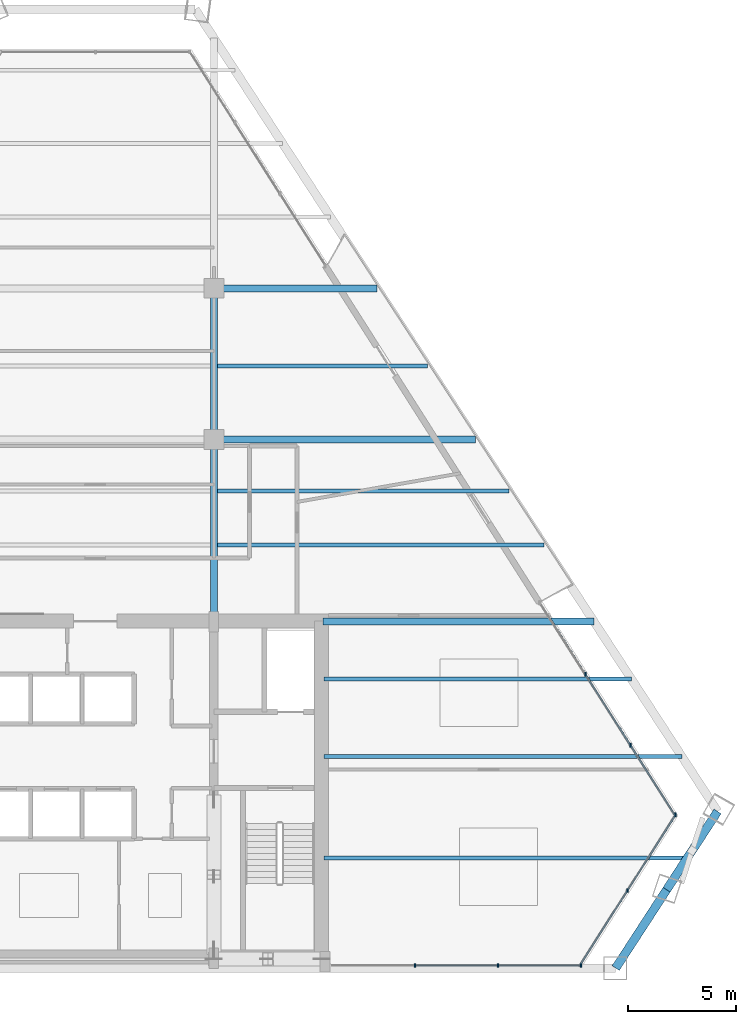
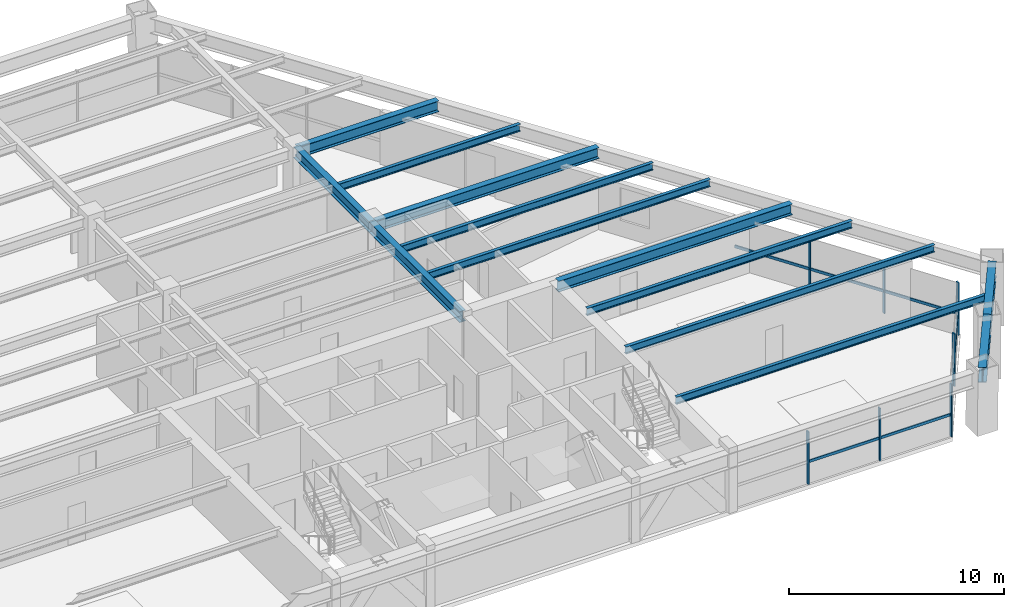
# One storey, part 6 of 15: 14 members, 13 beams, 3 elements without a shape of their own.
"""IFC4 building model written with IfcOpenShell, lengths in metres."""

from ifc_helpers import new_model, si_unit, direction, frame, origin, origin_2d, place, context, subcontext, project, spatial, rectangle, i_section, extrude, source, transform, mapped, material, material_profile, profile_set, type_object, type_shapes, element, aggregate, save


model = new_model("IFC4")

# Units and contexts
model_context = context("Model", 3, precision=1e-05, world=origin(), true_north=direction((0.0, 1.0)))
body_context = subcontext(model_context, "Body", "Model", "MODEL_VIEW")
ifc_project = project(units=[si_unit("LENGTHUNIT", "METRE"), si_unit("AREAUNIT", "SQUARE_METRE"), si_unit("VOLUMEUNIT", "CUBIC_METRE"), si_unit("PLANEANGLEUNIT", "RADIAN"), si_unit("MASSUNIT", "GRAM", prefix="KILO")], contexts=[model_context])

# Site, building, storey
site_placement = place(None, origin())
site = spatial("IfcSite", under=ifc_project, at=site_placement, CompositionType="ELEMENT")
building_placement = place(site_placement, origin())
building = spatial("IfcBuilding", under=site, at=building_placement, Name="Varnakhor Terracotta Tower", CompositionType="ELEMENT")
storey_placement = place(building_placement, frame((0.0, 0.0, 162.60009765625)))
storey = spatial("IfcBuildingStorey", under=building, at=storey_placement, Name="L41", CompositionType="ELEMENT", Elevation=162.60009765625)

# Beams
ifc_material_1 = material(Name="Steel S355", Category="steel")
ifc_material_profile_1 = material_profile(ifc_material_1, i_section(OverallWidth=0.324951171875, OverallDepth=0.615966796875, WebThickness=0.013916015625, FlangeThickness=0.02197265625, FilletRadius=0.01806640625, at=origin_2d()), Name="W24X117")
ifc_profile_set_1 = profile_set([ifc_material_profile_1], Name="Steel S355")
beam_type_1 = type_object("IfcBeamType", Name="BM-W24X117", PredefinedType="BEAM", material=ifc_profile_set_1)
shared_shape_1 = source(origin(), body_context, "Body", "SweptSolid", [
    extrude(i_section(OverallWidth=0.324951171875, OverallDepth=0.615966796875, WebThickness=0.013916015625, FlangeThickness=0.02197265625, FilletRadius=0.01806640625, at=origin_2d()), origin(), (0.0, 0.0, 1.0), 8.449951171875),
])
type_shapes(beam_type_1, [shared_shape_1])
beam_1_placement = place(storey_placement, frame((5.5, 16.050048828125, 3.091796875), z_axis=(0.0, 1.0, 0.0), x_axis=(-1.0, 0.0, 0.0)))
element("IfcBeam", 1, at=beam_1_placement, inside=storey, type_object=beam_type_1, Name="L41 Primary Girder NS1-E", PredefinedType="BEAM", context=body_context, shape_type="MappedRepresentation", body=[
    mapped(shared_shape_1, transform((0.0, 0.0, 0.0), scale=1.0)),
])
shared_shape_2 = source(origin(), body_context, "Body", "SweptSolid", [
    extrude(i_section(OverallWidth=0.324951171875, OverallDepth=0.615966796875, WebThickness=0.013916015625, FlangeThickness=0.02197265625, FilletRadius=0.01806640625, at=origin_2d()), origin(), (0.0, 0.0, 1.0), 7.0),
])
beam_2_placement = place(storey_placement, frame((5.5, 24.5, 3.091796875), z_axis=(0.0, 1.0, 0.0), x_axis=(-1.0, 0.0, 0.0)))
element("IfcBeam", 2, at=beam_2_placement, inside=storey, type_object=beam_type_1, Name="L41 Primary Girder NS2-E", PredefinedType="BEAM", context=body_context, shape_type="MappedRepresentation", body=[
    mapped(shared_shape_2, transform((0.0, 0.0, 0.0), scale=1.0)),
])
ifc_material_profile_2 = material_profile(ifc_material_1, i_section(OverallWidth=0.39990234375, OverallDepth=0.85498046875, WebThickness=0.01806640625, FlangeThickness=0.029052734375, FilletRadius=0.01806640625, at=origin_2d()), Name="W33X201")
ifc_profile_set_2 = profile_set([ifc_material_profile_2], Name="Steel S355")
beam_type_2 = type_object("IfcBeamType", Name="BM-W33X201", PredefinedType="BEAM", material=ifc_profile_set_2)
shared_shape_3 = source(origin(), body_context, "Body", "SweptSolid", [
    extrude(i_section(OverallWidth=0.39990234375, OverallDepth=0.85498046875, WebThickness=0.01806640625, FlangeThickness=0.029052734375, FilletRadius=0.01806640625, at=origin_2d()), origin(), (0.0, 0.0, 1.0), 4.331298828125),
])
beam_3_placement = place(storey_placement, frame((24.11669921875, 0.0, 2.972412109375), z_axis=(0.545024013631, 0.838420434249, 0.0), x_axis=(-0.838420434249, 0.545024013631, 0.0)))
element("IfcBeam", 3, at=beam_3_placement, inside=storey, type_object=beam_type_2, Name="L41 Perimeter Spandrel 2", PredefinedType="BEAM", context=body_context, shape_type="MappedRepresentation", body=[
    mapped(shared_shape_3, transform((0.0, 0.0, 0.0), scale=1.0)),
])
shared_shape_4 = source(origin(), body_context, "Body", "SweptSolid", [
    extrude(i_section(OverallWidth=0.39990234375, OverallDepth=0.85498046875, WebThickness=0.01806640625, FlangeThickness=0.029052734375, FilletRadius=0.01806640625, at=origin_2d()), origin(), (0.0, 0.0, 1.0), 4.330810546875),
])
beam_4_placement = place(storey_placement, frame((26.477294921875, 3.63134765625, 2.972412109375), z_axis=(0.544944758423, 0.838471949601, 0.0), x_axis=(-0.838471949601, 0.544944758423, 0.0)))
element("IfcBeam", 4, at=beam_4_placement, inside=storey, type_object=beam_type_2, Name="L41 Perimeter Spandrel 3", PredefinedType="BEAM", context=body_context, shape_type="MappedRepresentation", body=[
    mapped(shared_shape_4, transform((0.0, 0.0, 0.0), scale=1.0)),
])
shared_shape_5 = source(origin(), body_context, "Body", "SweptSolid", [
    extrude(i_section(OverallWidth=0.324951171875, OverallDepth=0.615966796875, WebThickness=0.013916015625, FlangeThickness=0.02197265625, FilletRadius=0.01806640625, at=origin_2d()), origin(), (0.0, 0.0, 1.0), 12.564453125),
])
beam_5_placement = place(storey_placement, frame((10.550048828125, 16.050048828125, 3.091796875), z_axis=(1.0, 0.0, 0.0), x_axis=(0.0, 1.0, 0.0)))
element("IfcBeam", 5, at=beam_5_placement, inside=storey, type_object=beam_type_1, Name="L41 Wing Girder E", PredefinedType="BEAM", context=body_context, shape_type="MappedRepresentation", body=[
    mapped(shared_shape_5, transform((0.0, 0.0, 0.0), scale=1.0)),
])
shared_shape_6 = source(origin(), body_context, "Body", "SweptSolid", [
    extrude(i_section(OverallWidth=0.324951171875, OverallDepth=0.615966796875, WebThickness=0.013916015625, FlangeThickness=0.02197265625, FilletRadius=0.01806640625, at=origin_2d()), origin(), (0.0, 0.0, 1.0), 12.111083984375),
])
beam_6_placement = place(storey_placement, frame((5.5, 24.5, 3.091796875), z_axis=(1.0, 0.0, 0.0), x_axis=(0.0, 1.0, 0.0)))
element("IfcBeam", 6, at=beam_6_placement, inside=storey, type_object=beam_type_1, Name="L41 Primary Girder EW2-3", PredefinedType="BEAM", context=body_context, shape_type="MappedRepresentation", body=[
    mapped(shared_shape_6, transform((0.0, 0.0, 0.0), scale=1.0)),
])
shared_shape_7 = source(origin(), body_context, "Body", "SweptSolid", [
    extrude(i_section(OverallWidth=0.324951171875, OverallDepth=0.615966796875, WebThickness=0.013916015625, FlangeThickness=0.02197265625, FilletRadius=0.01806640625, at=origin_2d()), origin(), (0.0, 0.0, 1.0), 7.552001953125),
])
beam_7_placement = place(storey_placement, frame((5.5, 31.5, 3.091796875), z_axis=(1.0, 0.0, 0.0), x_axis=(0.0, 1.0, 0.0)))
element("IfcBeam", 7, at=beam_7_placement, inside=storey, type_object=beam_type_1, Name="L41 Primary Girder EW3-3", PredefinedType="BEAM", context=body_context, shape_type="MappedRepresentation", body=[
    mapped(shared_shape_7, transform((0.0, 0.0, 0.0), scale=1.0)),
])
ifc_material_profile_3 = material_profile(ifc_material_1, i_section(OverallWidth=0.179931640625, OverallDepth=0.4130859375, WebThickness=0.009765625, FlangeThickness=0.01611328125, FilletRadius=0.01806640625, at=origin_2d()), Name="W16X50")
ifc_profile_set_3 = profile_set([ifc_material_profile_3], Name="Steel S355")
beam_type_3 = type_object("IfcBeamType", Name="JST-W16X50", PredefinedType="JOIST", material=ifc_profile_set_3)
shared_shape_8 = source(origin(), body_context, "Body", "SweptSolid", [
    extrude(i_section(OverallWidth=0.179931640625, OverallDepth=0.4130859375, WebThickness=0.009765625, FlangeThickness=0.01611328125, FilletRadius=0.01806640625, at=origin_2d()), origin(), (0.0, 0.0, 1.0), 16.831787109375),
])
beam_8_placement = place(storey_placement, frame((10.60009765625, 5.10009765625, 3.193359375), z_axis=(1.0, 0.0, 0.0), x_axis=(0.0, 1.0, 0.0)))
element("IfcBeam", 8, at=beam_8_placement, inside=storey, type_object=beam_type_3, Name="L41 Floor Joist E1", PredefinedType="JOIST", context=body_context, shape_type="MappedRepresentation", body=[
    mapped(shared_shape_8, transform((0.0, 0.0, 0.0), scale=1.0)),
])
shared_shape_9 = source(origin(), body_context, "Body", "SweptSolid", [
    extrude(i_section(OverallWidth=0.179931640625, OverallDepth=0.4130859375, WebThickness=0.009765625, FlangeThickness=0.01611328125, FilletRadius=0.01806640625, at=origin_2d()), origin(), (0.0, 0.0, 1.0), 16.5849609375),
])
beam_9_placement = place(storey_placement, frame((10.60009765625, 9.800048828125, 3.193359375), z_axis=(1.0, 0.0, 0.0), x_axis=(0.0, 1.0, 0.0)))
element("IfcBeam", 9, at=beam_9_placement, inside=storey, type_object=beam_type_3, Name="L41 Floor Joist E2", PredefinedType="JOIST", context=body_context, shape_type="MappedRepresentation", body=[
    mapped(shared_shape_9, transform((0.0, 0.0, 0.0), scale=1.0)),
])
shared_shape_10 = source(origin(), body_context, "Body", "SweptSolid", [
    extrude(i_section(OverallWidth=0.179931640625, OverallDepth=0.4130859375, WebThickness=0.009765625, FlangeThickness=0.01611328125, FilletRadius=0.01806640625, at=origin_2d()), origin(), (0.0, 0.0, 1.0), 14.240234375),
])
beam_10_placement = place(storey_placement, frame((10.60009765625, 13.39990234375, 3.193359375), z_axis=(1.0, 0.0, 0.0), x_axis=(0.0, 1.0, 0.0)))
element("IfcBeam", 10, at=beam_10_placement, inside=storey, type_object=beam_type_3, Name="L41 Floor Joist E3", PredefinedType="JOIST", context=body_context, shape_type="MappedRepresentation", body=[
    mapped(shared_shape_10, transform((0.0, 0.0, 0.0), scale=1.0)),
])
shared_shape_11 = source(origin(), body_context, "Body", "SweptSolid", [
    extrude(i_section(OverallWidth=0.179931640625, OverallDepth=0.4130859375, WebThickness=0.009765625, FlangeThickness=0.01611328125, FilletRadius=0.01806640625, at=origin_2d()), origin(), (0.0, 0.0, 1.0), 15.143798828125),
])
beam_11_placement = place(storey_placement, frame((5.658447265625, 19.60009765625, 3.193359375), z_axis=(1.0, 0.0, 0.0), x_axis=(0.0, 1.0, 0.0)))
element("IfcBeam", 11, at=beam_11_placement, inside=storey, type_object=beam_type_3, Name="L41 Composite Floor Joist 4-3", PredefinedType="JOIST", context=body_context, shape_type="MappedRepresentation", body=[
    mapped(shared_shape_11, transform((0.0, 0.0, 0.0), scale=1.0)),
])
shared_shape_12 = source(origin(), body_context, "Body", "SweptSolid", [
    extrude(i_section(OverallWidth=0.179931640625, OverallDepth=0.4130859375, WebThickness=0.009765625, FlangeThickness=0.01611328125, FilletRadius=0.01806640625, at=origin_2d()), origin(), (0.0, 0.0, 1.0), 13.515625),
])
beam_12_placement = place(storey_placement, frame((5.658447265625, 22.10009765625, 3.193359375), z_axis=(1.0, 0.0, 0.0), x_axis=(0.0, 1.0, 0.0)))
element("IfcBeam", 12, at=beam_12_placement, inside=storey, type_object=beam_type_3, Name="L41 Composite Floor Joist 5-3", PredefinedType="JOIST", context=body_context, shape_type="MappedRepresentation", body=[
    mapped(shared_shape_12, transform((0.0, 0.0, 0.0), scale=1.0)),
])
shared_shape_13 = source(origin(), body_context, "Body", "SweptSolid", [
    extrude(i_section(OverallWidth=0.179931640625, OverallDepth=0.4130859375, WebThickness=0.009765625, FlangeThickness=0.01611328125, FilletRadius=0.01806640625, at=origin_2d()), origin(), (0.0, 0.0, 1.0), 9.738037109375),
])
beam_13_placement = place(storey_placement, frame((5.658447265625, 27.89990234375, 3.193359375), z_axis=(1.0, 0.0, 0.0), x_axis=(0.0, 1.0, 0.0)))
element("IfcBeam", 13, at=beam_13_placement, inside=storey, type_object=beam_type_3, Name="L41 Composite Floor Joist 6-3", PredefinedType="JOIST", context=body_context, shape_type="MappedRepresentation", body=[
    mapped(shared_shape_13, transform((0.0, 0.0, 0.0), scale=1.0)),
])

# Curtain wall, members
ifc_material_2 = material(Name="Anodised Aluminium Curtain Wall System", Category="aluminium")
curtain_wall_type = type_object("IfcCurtainWallType", Name="CW-SYS-MID-OFFICE", PredefinedType="NOTDEFINED", material=ifc_material_2)
curtain_wall_1_placement = place(storey_placement, origin())
curtain_wall_1 = element("IfcCurtainWall", 14, at=curtain_wall_1_placement, inside=storey, type_object=curtain_wall_type, Name="L41 E Facet Curtain Wall 2", PredefinedType="NOTDEFINED")
ifc_material_3 = material(Name="Anodised Aluminium 6063-T6", Category="aluminium")
ifc_material_profile_4 = material_profile(ifc_material_3, rectangle(XDim=0.070068359375, YDim=0.175048828125, at=origin_2d()), Name="ALU MULLION 70x175")
ifc_profile_set_4 = profile_set([ifc_material_profile_4], Name="Anodised Aluminium 6063-T6")
member_type_1 = type_object("IfcMemberType", Name="CWM-03", PredefinedType="MULLION", material=ifc_profile_set_4)
shared_shape_14 = source(origin(), body_context, "Body", "SweptSolid", [
    extrude(rectangle(XDim=0.070068359375, YDim=0.175048828125, at=origin_2d()), origin(), (0.0, 0.0, 1.0), 2.97998046875),
])
member_1_placement = place(storey_placement, frame((22.70849609375, 13.6201171875, 0.0), z_axis=(0.0, 0.0, 1.0), x_axis=(1.0, 0.0, 0.0)))
member_1 = element("IfcMember", 15, at=member_1_placement, type_object=member_type_1, Name="L41 E Facet Curtain Wall 2 Mullion 2", PredefinedType="MULLION", context=body_context, shape_type="MappedRepresentation", body=[
    mapped(shared_shape_14, transform((0.0, 0.0, 0.0), scale=1.0)),
])
member_2_placement = place(storey_placement, frame((24.802734375, 10.32373046875, 0.0), z_axis=(0.0, 0.0, 1.0), x_axis=(1.0, 0.0, 0.0)))
member_2 = element("IfcMember", 16, at=member_2_placement, type_object=member_type_1, Name="L41 E Facet Curtain Wall 2 Mullion 3", PredefinedType="MULLION", context=body_context, shape_type="MappedRepresentation", body=[
    mapped(shared_shape_14, transform((0.0, 0.0, 0.0), scale=1.0)),
])

curtain_wall_2_placement = place(storey_placement, origin())
curtain_wall_2 = element("IfcCurtainWall", 17, at=curtain_wall_2_placement, inside=storey, type_object=curtain_wall_type, Name="L41 Facet Curtain Wall 4", PredefinedType="NOTDEFINED")
member_3_placement = place(storey_placement, frame((26.897216796875, 7.105712890625, 0.0), z_axis=(0.0, 0.0, 1.0), x_axis=(1.0, 0.0, 0.0)))
member_3 = element("IfcMember", 18, at=member_3_placement, type_object=member_type_1, Name="L41 Facet Curtain Wall 4 Mullion 1", PredefinedType="MULLION", context=body_context, shape_type="MappedRepresentation", body=[
    mapped(shared_shape_14, transform((0.0, 0.0, 0.0), scale=1.0)),
])
member_4_placement = place(storey_placement, frame((24.6650390625, 3.597900390625, 0.0), z_axis=(0.0, 0.0, 1.0), x_axis=(1.0, 0.0, 0.0)))
member_4 = element("IfcMember", 19, at=member_4_placement, type_object=member_type_1, Name="L41 Facet Curtain Wall 4 Mullion 2", PredefinedType="MULLION", context=body_context, shape_type="MappedRepresentation", body=[
    mapped(shared_shape_14, transform((0.0, 0.0, 0.0), scale=1.0)),
])

curtain_wall_3_placement = place(storey_placement, origin())
curtain_wall_3 = element("IfcCurtainWall", 20, at=curtain_wall_3_placement, inside=storey, type_object=curtain_wall_type, Name="L41 South Wing Curtain Wall SSE", PredefinedType="NOTDEFINED")
member_5_placement = place(storey_placement, frame((22.50830078125, 0.1201171875, 0.0), z_axis=(0.0, 0.0, 1.0), x_axis=(1.0, 0.0, 0.0)))
member_5 = element("IfcMember", 21, at=member_5_placement, type_object=member_type_1, Name="L41 South Wing Curtain Wall SSE Mullion 1", PredefinedType="MULLION", context=body_context, shape_type="MappedRepresentation", body=[
    mapped(shared_shape_14, transform((0.0, 0.0, 0.0), scale=1.0)),
])
member_6_placement = place(storey_placement, frame((18.662109375, 0.1201171875, 0.0), z_axis=(0.0, 0.0, 1.0), x_axis=(1.0, 0.0, 0.0)))
member_6 = element("IfcMember", 22, at=member_6_placement, type_object=member_type_1, Name="L41 South Wing Curtain Wall SSE Mullion 2", PredefinedType="MULLION", context=body_context, shape_type="MappedRepresentation", body=[
    mapped(shared_shape_14, transform((0.0, 0.0, 0.0), scale=1.0)),
])
member_7_placement = place(storey_placement, frame((14.816162109375, 0.1201171875, 0.0), z_axis=(0.0, 0.0, 1.0), x_axis=(1.0, 0.0, 0.0)))
member_7 = element("IfcMember", 23, at=member_7_placement, type_object=member_type_1, Name="L41 South Wing Curtain Wall SSE Mullion 3", PredefinedType="MULLION", context=body_context, shape_type="MappedRepresentation", body=[
    mapped(shared_shape_14, transform((0.0, 0.0, 0.0), scale=1.0)),
])

# Member
ifc_material_profile_5 = material_profile(ifc_material_3, rectangle(XDim=0.070068359375, YDim=0.155029296875, at=origin_2d()), Name="ALU TRANSOM 70x155")
ifc_profile_set_5 = profile_set([ifc_material_profile_5], Name="Anodised Aluminium 6063-T6")
member_type_2 = type_object("IfcMemberType", Name="CWT-03", PredefinedType="USERDEFINED", material=ifc_profile_set_5)
shared_shape_15 = source(origin(), body_context, "Body", "SweptSolid", [
    extrude(rectangle(XDim=0.070068359375, YDim=0.155029296875, at=origin_2d()), origin(), (0.0, 0.0, 1.0), 3.9052734375),
])
member_8_placement = place(storey_placement, frame((22.70849609375, 13.6201171875, 1.25146484375), z_axis=(0.536244319257, -0.844062811682, 0.0), x_axis=(0.844062811682, 0.536244319257, 0.0)))
member_8 = element("IfcMember", 24, at=member_8_placement, type_object=member_type_2, Name="L41 E Facet Curtain Wall 2 Transom 2", ObjectType="TRANSOM", PredefinedType="USERDEFINED", context=body_context, shape_type="MappedRepresentation", body=[
    mapped(shared_shape_15, transform((0.0, 0.0, 0.0), scale=1.0)),
])

member_9_placement = place(storey_placement, frame((24.802734375, 10.32373046875, 1.25146484375), z_axis=(0.536272615738, -0.844044833886, 0.0), x_axis=(0.844044833886, 0.536272615738, 0.0)))
member_9 = element("IfcMember", 25, at=member_9_placement, type_object=member_type_2, Name="L41 E Facet Curtain Wall 2 Transom 3", ObjectType="TRANSOM", PredefinedType="USERDEFINED", context=body_context, shape_type="MappedRepresentation", body=[
    mapped(shared_shape_15, transform((0.0, 0.0, 0.0), scale=1.0)),
])

shared_shape_16 = source(origin(), body_context, "Body", "SweptSolid", [
    extrude(rectangle(XDim=0.070068359375, YDim=0.155029296875, at=origin_2d()), origin(), (0.0, 0.0, 1.0), 3.905029296875),
])
member_10_placement = place(storey_placement, frame((20.6142578125, 16.916015625, 1.25146484375), z_axis=(0.536300914602, -0.844026853244, 0.0), x_axis=(0.844026853244, 0.536300914602, 0.0)))
member_10 = element("IfcMember", 26, at=member_10_placement, type_object=member_type_2, Name="L41 E Facet Curtain Wall 2 Transom 1", ObjectType="TRANSOM", PredefinedType="USERDEFINED", context=body_context, shape_type="MappedRepresentation", body=[
    mapped(shared_shape_16, transform((0.0, 0.0, 0.0), scale=1.0)),
])

aggregate(curtain_wall_1, [member_10, member_1, member_8, member_2, member_9])

shared_shape_17 = source(origin(), body_context, "Body", "SweptSolid", [
    extrude(rectangle(XDim=0.070068359375, YDim=0.155029296875, at=origin_2d()), origin(), (0.0, 0.0, 1.0), 4.15771484375),
])
member_11_placement = place(storey_placement, frame((26.897216796875, 7.105712890625, 1.25146484375), z_axis=(-0.536864093829, -0.843668741128, 0.0), x_axis=(0.843668741128, -0.536864093829, 0.0)))
member_11 = element("IfcMember", 27, at=member_11_placement, type_object=member_type_2, Name="L41 Facet Curtain Wall 4 Transom 1", ObjectType="TRANSOM", PredefinedType="USERDEFINED", context=body_context, shape_type="MappedRepresentation", body=[
    mapped(shared_shape_17, transform((0.0, 0.0, 0.0), scale=1.0)),
])

shared_shape_18 = source(origin(), body_context, "Body", "SweptSolid", [
    extrude(rectangle(XDim=0.070068359375, YDim=0.155029296875, at=origin_2d()), origin(), (0.0, 0.0, 1.0), 4.158203125),
])
member_12_placement = place(storey_placement, frame((24.6650390625, 3.597900390625, 1.25146484375), z_axis=(-0.536769110838, -0.843729175536, 0.0), x_axis=(0.843729175536, -0.536769110838, 0.0)))
member_12 = element("IfcMember", 28, at=member_12_placement, type_object=member_type_2, Name="L41 Facet Curtain Wall 4 Transom 2", ObjectType="TRANSOM", PredefinedType="USERDEFINED", context=body_context, shape_type="MappedRepresentation", body=[
    mapped(shared_shape_18, transform((0.0, 0.0, 0.0), scale=1.0)),
])

aggregate(curtain_wall_2, [member_3, member_11, member_4, member_12])

shared_shape_19 = source(origin(), body_context, "Body", "SweptSolid", [
    extrude(rectangle(XDim=0.070068359375, YDim=0.155029296875, at=origin_2d()), origin(), (0.0, 0.0, 1.0), 3.84619140625),
])
member_13_placement = place(storey_placement, frame((22.50830078125, 0.1201171875, 1.25146484375), z_axis=(-1.0, 0.0, 0.0), x_axis=(0.0, -1.0, 0.0)))
member_13 = element("IfcMember", 29, at=member_13_placement, type_object=member_type_2, Name="L41 South Wing Curtain Wall SSE Transom 1", ObjectType="TRANSOM", PredefinedType="USERDEFINED", context=body_context, shape_type="MappedRepresentation", body=[
    mapped(shared_shape_19, transform((0.0, 0.0, 0.0), scale=1.0)),
])

shared_shape_20 = source(origin(), body_context, "Body", "SweptSolid", [
    extrude(rectangle(XDim=0.070068359375, YDim=0.155029296875, at=origin_2d()), origin(), (0.0, 0.0, 1.0), 3.845947265625),
])
member_14_placement = place(storey_placement, frame((18.662109375, 0.1201171875, 1.25146484375), z_axis=(-1.0, 0.0, 0.0), x_axis=(0.0, -1.0, 0.0)))
member_14 = element("IfcMember", 30, at=member_14_placement, type_object=member_type_2, Name="L41 South Wing Curtain Wall SSE Transom 2", ObjectType="TRANSOM", PredefinedType="USERDEFINED", context=body_context, shape_type="MappedRepresentation", body=[
    mapped(shared_shape_20, transform((0.0, 0.0, 0.0), scale=1.0)),
])

aggregate(curtain_wall_3, [member_5, member_13, member_6, member_14, member_7])

save(model, "model.ifc")
